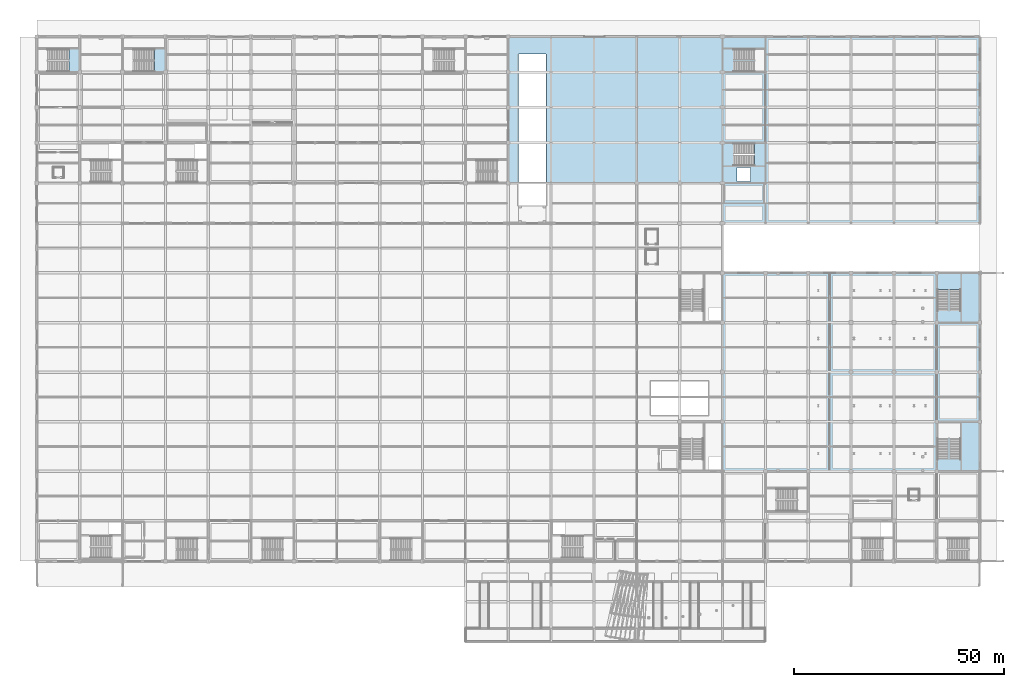
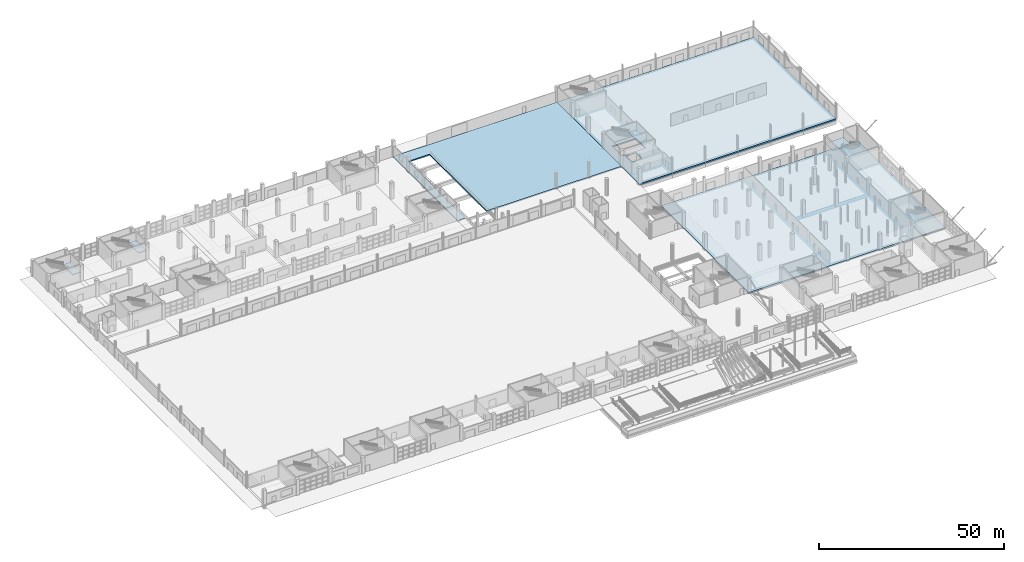
# One storey, part 79 of 124: 7 slabs, 4 elements without a shape of their own.
"""IFC4 building model written with IfcOpenShell, lengths in metres."""

from ifc_helpers import new_model, si_unit, direction, frame, origin, place, context, subcontext, project, spatial, polyline, outline, extrude, material, layer, layer_set, type_object, element, aggregate, save


model = new_model("IFC4")

# Units and contexts
model_context = context("Model", 3, precision=1e-05, world=origin(), true_north=direction((0.0, 1.0)))
body_context = subcontext(model_context, "Body", "Model", "MODEL_VIEW")
ifc_project = project(units=[si_unit("LENGTHUNIT", "METRE"), si_unit("AREAUNIT", "SQUARE_METRE"), si_unit("VOLUMEUNIT", "CUBIC_METRE"), si_unit("PLANEANGLEUNIT", "RADIAN"), si_unit("MASSUNIT", "GRAM", prefix="KILO")], contexts=[model_context])

# Site, building, storey
site_placement = place(None, origin())
site = spatial("IfcSite", under=ifc_project, at=site_placement, CompositionType="ELEMENT")
building_placement = place(site_placement, origin())
building = spatial("IfcBuilding", under=site, at=building_placement, Name="Brelvane Convention Centre", CompositionType="ELEMENT")
storey_placement = place(building_placement, origin())
storey = spatial("IfcBuildingStorey", under=building, at=storey_placement, Name="L00", CompositionType="ELEMENT", Elevation=0.0)

# Stair, slab
ifc_material_1 = material(Name="Concrete M40", Category="concrete")
stair_type_1 = type_object("IfcStairType", Name="Exit Stair ST-CORE", PredefinedType="HALF_TURN_STAIR", material=ifc_material_1)
stair_1_placement = place(storey_placement, origin())
stair_1 = element("IfcStair", 1, at=stair_1_placement, inside=storey, type_object=stair_type_1, Name="Exit Stair ST-05 (L00 to L01)", PredefinedType="HALF_TURN_STAIR")
ifc_material_2 = material(Name="Concrete M40", Category="concrete")
ifc_layer_1 = layer(ifc_material_2, 0.199951171875)
ifc_layer_set_1 = layer_set([ifc_layer_1], Name="Concrete M40")
slab_type_1 = type_object("IfcSlabType", Name="Stair Landing SL-LND-200", PredefinedType="LANDING", material=ifc_layer_set_1)
slab_1_placement = place(storey_placement, frame((0.0, 0.0, 2.5)))
slab_1 = element("IfcSlab", 2, at=slab_1_placement, type_object=slab_type_1, Name="Stair ST-05 L00 Half Landing", PredefinedType="LANDING", context=body_context, shape_type="SweptSolid", body=[
    extrude(outline(polyline([(170.820068359375, 113.280029296875), (173.320068359375, 113.280029296875), (173.320068359375, 118.719970703125), (170.820068359375, 118.719970703125), (170.820068359375, 113.280029296875)])), origin(), (0.0, 0.0, 1.0), 0.199951171875),
])
aggregate(stair_1, [slab_1])

stair_2_placement = place(storey_placement, origin())
stair_2 = element("IfcStair", 3, at=stair_2_placement, inside=storey, type_object=stair_type_1, Name="Exit Stair ST-13 (L00 to L01)", PredefinedType="HALF_TURN_STAIR")
slab_2_placement = place(storey_placement, frame((0.0, 0.0, 2.5)))
slab_2 = element("IfcSlab", 4, at=slab_2_placement, type_object=slab_type_1, Name="Stair ST-13 L00 Half Landing", PredefinedType="LANDING", context=body_context, shape_type="SweptSolid", body=[
    extrude(outline(polyline([(28.02001953125, 135.679931640625), (30.52001953125, 135.679931640625), (30.52001953125, 141.1201171875), (28.02001953125, 141.1201171875), (28.02001953125, 135.679931640625)])), origin(), (0.0, 0.0, 1.0), 0.199951171875),
])
aggregate(stair_2, [slab_2])

stair_3_placement = place(storey_placement, origin())
stair_3 = element("IfcStair", 5, at=stair_3_placement, inside=storey, type_object=stair_type_1, Name="Exit Stair ST-17 (L00 to L01)", PredefinedType="HALF_TURN_STAIR")
slab_3_placement = place(storey_placement, frame((0.0, 0.0, 2.5)))
slab_3 = element("IfcSlab", 6, at=slab_3_placement, type_object=slab_type_1, Name="Stair ST-17 L00 Half Landing", PredefinedType="LANDING", context=body_context, shape_type="SweptSolid", body=[
    extrude(outline(polyline([(7.6201171875, 135.679931640625), (10.1201171875, 135.679931640625), (10.1201171875, 141.1201171875), (7.6201171875, 141.1201171875), (7.6201171875, 135.679931640625)])), origin(), (0.0, 0.0, 1.0), 0.199951171875),
])
aggregate(stair_3, [slab_3])

ifc_material_3 = material(Name="Concrete M40", Category="concrete")
stair_type_2 = type_object("IfcStairType", Name="Exit Stair ST-ASM", PredefinedType="HALF_TURN_STAIR", material=ifc_material_3)
stair_4_placement = place(storey_placement, origin())
stair_4 = element("IfcStair", 7, at=stair_4_placement, inside=storey, type_object=stair_type_2, Name="Exit Stair ST-16 (L00 to L01)", PredefinedType="HALF_TURN_STAIR")
ifc_material_4 = material(Name="Concrete M40", Category="concrete")
ifc_layer_2 = layer(ifc_material_4, 0.219970703125)
ifc_layer_set_2 = layer_set([ifc_layer_2], Name="Concrete M40")
slab_type_2 = type_object("IfcSlabType", Name="Stair Landing SL-LND-220", PredefinedType="LANDING", material=ifc_layer_set_2)
slab_4_placement = place(storey_placement, frame((0.0, 0.0, 2.47998046875)))
slab_4 = element("IfcSlab", 8, at=slab_4_placement, type_object=slab_type_2, Name="Stair ST-16 L00 Half Landing", PredefinedType="LANDING", context=body_context, shape_type="SweptSolid", body=[
    extrude(outline(polyline([(214.280029296875, 83.820068359375), (219.919921875, 83.820068359375), (219.919921875, 87.719970703125), (214.280029296875, 87.719970703125), (214.280029296875, 83.820068359375)])), origin(), (0.0, 0.0, 1.0), 0.219970703125),
])
aggregate(stair_4, [slab_4])

# Slabs
ifc_material_5 = material(Name="Concrete M40", Category="concrete")
ifc_layer_3 = layer(ifc_material_5, 0.39990234375)
ifc_layer_set_3 = layer_set([ifc_layer_3], Name="Concrete M40")
slab_type_3 = type_object("IfcSlabType", Name="Structural Slab SL-PLINTH-400", PredefinedType="BASESLAB", material=ifc_layer_set_3)
slab_5_placement = place(storey_placement, frame((0.0, 0.0, -0.39990234375)))
element("IfcSlab", 9, at=slab_5_placement, inside=storey, type_object=slab_type_3, Name="L00 Podium Slab PLEN", PredefinedType="BASESLAB", context=body_context, shape_type="SweptSolid", body=[
    extrude(outline(polyline([(163.199951171875, 40.60009765625), (224.39990234375, 40.60009765625), (224.39990234375, 87.800048828125), (163.199951171875, 87.800048828125), (163.199951171875, 40.60009765625)])), origin(), (0.0, 0.0, 1.0), 0.39990234375),
])
slab_6_placement = place(storey_placement, frame((0.0, 0.0, -0.39990234375)))
element("IfcSlab", 10, at=slab_6_placement, inside=storey, type_object=slab_type_3, Name="L00 Truck Service Yard Slab", PredefinedType="BASESLAB", context=body_context, shape_type="SweptSolid", body=[
    extrude(outline(polyline([(112.199951171875, 109.199951171875), (114.60009765625, 109.199951171875), (114.60009765625, 139.949951171875), (121.199951171875, 139.949951171875), (121.199951171875, 109.199951171875), (163.199951171875, 109.199951171875), (163.199951171875, 144.0), (112.199951171875, 144.0), (112.199951171875, 109.199951171875)])), origin(), (0.0, 0.0, 1.0), 0.39990234375),
])
ifc_material_6 = material(Name="Concrete M40", Category="concrete")
ifc_layer_4 = layer(ifc_material_6, 0.445068359375)
ifc_layer_set_4 = layer_set([ifc_layer_4], Name="Concrete M40")
slab_type_4 = type_object("IfcSlabType", Name="Structural Slab SL-POD-445", PredefinedType="FLOOR", material=ifc_layer_set_4)
slab_7_placement = place(storey_placement, frame((0.0, 0.0, -0.445068359375)))
element("IfcSlab", 11, at=slab_7_placement, inside=storey, type_object=slab_type_4, Name="L00 PodBall Slab BALL", PredefinedType="FLOOR", context=body_context, shape_type="SweptSolid", body=[
    extrude(outline(polyline([(163.199951171875, 99.60009765625), (224.39990234375, 99.60009765625), (224.39990234375, 144.0), (163.199951171875, 144.0), (163.199951171875, 99.60009765625)]), holes=[polyline([(165.800048828125, 113.39990234375), (173.10009765625, 113.39990234375), (173.10009765625, 118.64990234375), (165.800048828125, 118.64990234375), (165.800048828125, 113.39990234375)]), polyline([(166.699951171875, 109.550048828125), (169.89990234375, 109.550048828125), (169.89990234375, 112.85009765625), (166.699951171875, 112.85009765625), (166.699951171875, 109.550048828125)])]), origin(), (0.0, 0.0, 1.0), 0.445068359375),
])

save(model, "model.ifc")
